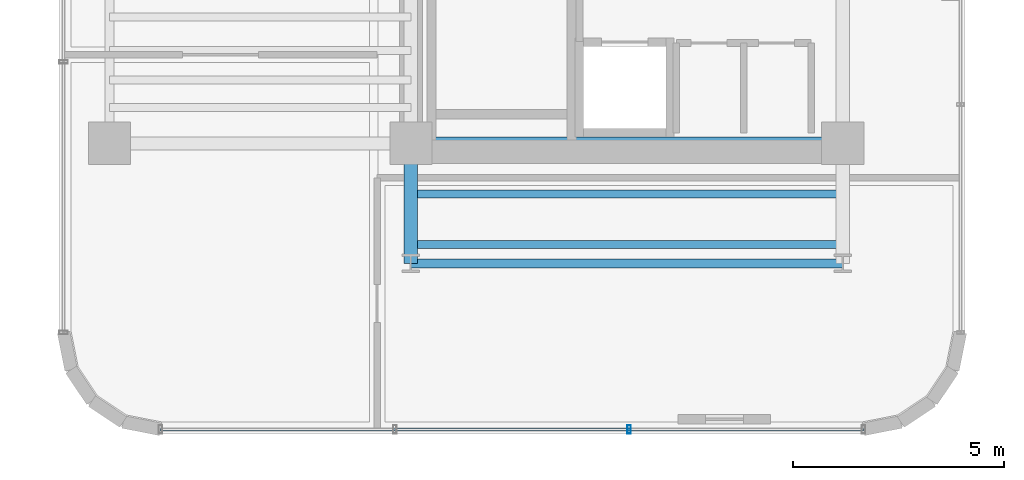
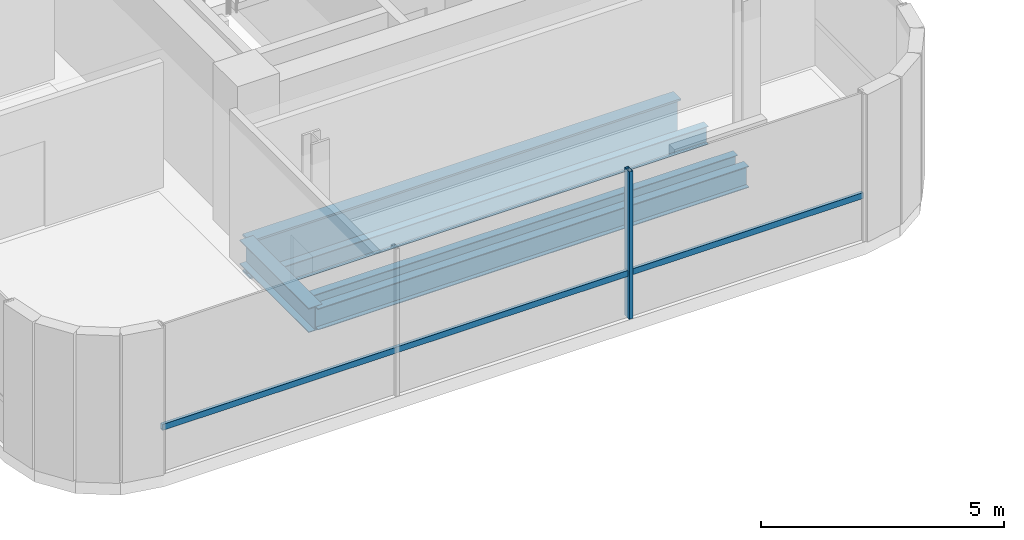
# One storey, part 3 of 35: 5 beams, 2 members, 1 element without a shape of its own.
"""IFC4 building model written with IfcOpenShell, lengths in metres."""

from ifc_helpers import new_model, si_unit, direction, frame, origin, origin_2d, place, context, subcontext, project, spatial, hollow_rectangle, i_section, extrude, source, transform, mapped, material, material_profile, profile_set, type_object, element, aggregate, save


model = new_model("IFC4")

# Units and contexts
model_context = context("Model", 3, precision=1e-05, world=origin(), true_north=direction((0.0, 1.0)))
body_context = subcontext(model_context, "Body", "Model", "MODEL_VIEW")
ifc_project = project(units=[si_unit("LENGTHUNIT", "METRE"), si_unit("AREAUNIT", "SQUARE_METRE"), si_unit("VOLUMEUNIT", "CUBIC_METRE"), si_unit("PLANEANGLEUNIT", "RADIAN"), si_unit("MASSUNIT", "GRAM", prefix="KILO")], contexts=[model_context])

# Site, building, storey
site_placement = place(None, origin())
site = spatial("IfcSite", under=ifc_project, at=site_placement, CompositionType="ELEMENT")
building_placement = place(site_placement, origin())
building = spatial("IfcBuilding", under=site, at=building_placement, Name="Valdorenza Pilgrim Sanctuary Tower", CompositionType="ELEMENT")
storey_placement = place(building_placement, frame((0.0, 0.0, 192.35009765625)))
storey = spatial("IfcBuildingStorey", under=building, at=storey_placement, Name="L49", CompositionType="ELEMENT", Elevation=192.35009765625)

# Beams
ifc_material_1 = material(Name="Steel ASTM A992 Grade 50", Category="steel")
ifc_material_profile_1 = material_profile(ifc_material_1, i_section(OverallWidth=0.323974609375, OverallDepth=0.611083984375, WebThickness=0.0126953125, FlangeThickness=0.01904296875, at=origin_2d()), Name="W24X104")
ifc_profile_set_1 = profile_set([ifc_material_profile_1], Name="Steel ASTM A992 Grade 50")
beam_type_1 = type_object("IfcBeamType", Name="STR-BM-GRD-W24B", PredefinedType="BEAM", material=ifc_profile_set_1)
shared_shape_1 = source(origin(), body_context, "Body", "SweptSolid", [
    extrude(i_section(OverallWidth=0.323974609375, OverallDepth=0.611083984375, WebThickness=0.0126953125, FlangeThickness=0.01904296875, at=origin_2d()), origin(), (0.0, 0.0, 1.0), 2.849853515625),
])
beam_1_placement = place(storey_placement, frame((-22.64990234375, -13.449951171875, -0.62548828125), z_axis=(0.0, 1.0, 0.0), x_axis=(-1.0, 0.0, 0.0)))
element("IfcBeam", 1, at=beam_1_placement, inside=storey, type_object=beam_type_1, Name="L49 Floor Girder WA-S-LW", PredefinedType="BEAM", context=body_context, shape_type="MappedRepresentation", body=[
    mapped(shared_shape_1, transform((0.0, 0.0, 0.0), x_axis=(1.0, 0.0, 0.0), y_axis=(0.0, 1.0, 0.0), z_axis=(0.0, 0.0, 1.0), scale=1.0)),
])
ifc_material_profile_2 = material_profile(ifc_material_1, i_section(OverallWidth=0.19091796875, OverallDepth=0.45703125, WebThickness=0.009033203125, FlangeThickness=0.014404296875, at=origin_2d()), Name="W18X50")
ifc_profile_set_2 = profile_set([ifc_material_profile_2], Name="Steel ASTM A992 Grade 50")
beam_type_2 = type_object("IfcBeamType", Name="STR-BM-JST-W18B", PredefinedType="JOIST", material=ifc_profile_set_2)
shared_shape_2 = source(origin(), body_context, "Body", "SweptSolid", [
    extrude(i_section(OverallWidth=0.19091796875, OverallDepth=0.45703125, WebThickness=0.009033203125, FlangeThickness=0.014404296875, at=origin_2d()), origin(), (0.0, 0.0, 1.0), 10.25),
])
for number, where, z_axis, x_axis, name in (
    (2, (-22.64990234375, -13.0, -0.548583984375), (1.0, 0.0, 0.0), (0.0, 1.0, 0.0), "L49 Composite Floor Joist JST-WAS-1"),
    (3, (-22.64990234375, -11.800048828125, -0.548583984375), (1.0, 0.0, 0.0), (0.0, 1.0, 0.0), "L49 Composite Floor Joist JST-WAS-2"),
):
    element("IfcBeam", number, at=place(storey_placement, frame(where, z_axis=z_axis, x_axis=x_axis)), inside=storey, type_object=beam_type_2, Name=name, PredefinedType="JOIST", context=body_context, shape_type="MappedRepresentation", body=[
        mapped(shared_shape_2, transform((0.0, 0.0, 0.0), x_axis=(1.0, 0.0, 0.0), y_axis=(0.0, 1.0, 0.0), z_axis=(0.0, 0.0, 1.0), scale=1.0)),
    ])
ifc_material_profile_3 = material_profile(ifc_material_1, i_section(OverallWidth=0.2109375, OverallDepth=0.5390625, WebThickness=0.01171875, FlangeThickness=0.018798828125, at=origin_2d()), Name="W21X73")
ifc_profile_set_3 = profile_set([ifc_material_profile_3], Name="Steel ASTM A992 Grade 50")
beam_type_3 = type_object("IfcBeamType", Name="STR-BM-SPN-W21B", PredefinedType="SPANDREL", material=ifc_profile_set_3)
shared_shape_3 = source(origin(), body_context, "Body", "SweptSolid", [
    extrude(i_section(OverallWidth=0.2109375, OverallDepth=0.5390625, WebThickness=0.01171875, FlangeThickness=0.018798828125, at=origin_2d()), origin(), (0.0, 0.0, 1.0), 10.25),
])
beam_2_placement = place(storey_placement, frame((-22.64990234375, -13.449951171875, -0.589599609375), z_axis=(1.0, 0.0, 0.0), x_axis=(0.0, 1.0, 0.0)))
element("IfcBeam", 4, at=beam_2_placement, inside=storey, type_object=beam_type_3, Name="L49 South Spandrel WA-S-TIE", PredefinedType="SPANDREL", context=body_context, shape_type="MappedRepresentation", body=[
    mapped(shared_shape_3, transform((0.0, 0.0, 0.0), x_axis=(1.0, 0.0, 0.0), y_axis=(0.0, 1.0, 0.0), z_axis=(0.0, 0.0, 1.0), scale=1.0)),
])
ifc_material_profile_4 = material_profile(ifc_material_1, i_section(OverallWidth=0.31005859375, OverallDepth=0.949951171875, WebThickness=0.0244140625, FlangeThickness=0.0439453125, at=origin_2d()), Name="W36X256")
ifc_profile_set_4 = profile_set([ifc_material_profile_4], Name="Steel ASTM A992 Grade 50")
beam_type_4 = type_object("IfcBeamType", Name="STR-BM-GRD-W36B", PredefinedType="BEAM", material=ifc_profile_set_4)
shared_shape_4 = source(origin(), body_context, "Body", "SweptSolid", [
    extrude(i_section(OverallWidth=0.31005859375, OverallDepth=0.949951171875, WebThickness=0.0244140625, FlangeThickness=0.0439453125, at=origin_2d()), origin(), (0.0, 0.0, 1.0), 10.25),
])
beam_3_placement = place(storey_placement, frame((-22.64990234375, -10.60009765625, -0.795166015625), z_axis=(1.0, 0.0, 0.0), x_axis=(0.0, 1.0, 0.0)))
element("IfcBeam", 5, at=beam_3_placement, inside=storey, type_object=beam_type_4, Name="L49 Floor Girder CA-XC-S1", PredefinedType="BEAM", context=body_context, shape_type="MappedRepresentation", body=[
    mapped(shared_shape_4, transform((0.0, 0.0, 0.0), x_axis=(1.0, 0.0, 0.0), y_axis=(0.0, 1.0, 0.0), z_axis=(0.0, 0.0, 1.0), scale=1.0)),
])

# Curtain wall, members
ifc_material_2 = material(Name="Curtain-wall IGU glazing", Category="glass")
curtain_wall_type = type_object("IfcCurtainWallType", Name="CW-SYS-02", PredefinedType="NOTDEFINED", material=ifc_material_2)
curtain_wall_placement = place(storey_placement, origin())
curtain_wall = element("IfcCurtainWall", 6, at=curtain_wall_placement, inside=storey, type_object=curtain_wall_type, Name="L49 Curtain Wall CW-L49-1-82", PredefinedType="NOTDEFINED")
ifc_material_3 = material(Name="Anodised aluminium AW-6060", Category="aluminium")
ifc_material_profile_5 = material_profile(ifc_material_3, hollow_rectangle(XDim=0.074951171875, YDim=0.14990234375, WallThickness=0.00390625, at=origin_2d()), Name="ALU-T 150x75x4")
ifc_profile_set_5 = profile_set([ifc_material_profile_5], Name="Anodised aluminium AW-6060")
member_type_1 = type_object("IfcMemberType", Name="CW-TRN-02", PredefinedType="USERDEFINED", material=ifc_profile_set_5)
shared_shape_5 = source(origin(), body_context, "Body", "SweptSolid", [
    extrude(hollow_rectangle(XDim=0.074951171875, YDim=0.14990234375, WallThickness=0.00390625, at=origin_2d()), origin(), (0.0, 0.0, 1.0), 16.67822265625),
])
member_1_placement = place(storey_placement, frame((-11.910888671875, -17.389892578125, 1.119873046875), z_axis=(-1.0, 0.0, 0.0), x_axis=(0.0, -1.0, 0.0)))
member_1 = element("IfcMember", 7, at=member_1_placement, type_object=member_type_1, Name="CW-L49-1-82 Transom 1", ObjectType="TRANSOM", PredefinedType="USERDEFINED", context=body_context, shape_type="MappedRepresentation", body=[
    mapped(shared_shape_5, transform((0.0, 0.0, 0.0), x_axis=(1.0, 0.0, 0.0), y_axis=(0.0, 1.0, 0.0), z_axis=(0.0, 0.0, 1.0), scale=1.0)),
])
ifc_material_profile_6 = material_profile(ifc_material_3, hollow_rectangle(XDim=0.0849609375, YDim=0.199951171875, WallThickness=0.0048828125, at=origin_2d()), Name="ALU-M 200x85x5")
ifc_profile_set_6 = profile_set([ifc_material_profile_6], Name="Anodised aluminium AW-6060")
member_type_2 = type_object("IfcMemberType", Name="CW-MUL-02", PredefinedType="MULLION", material=ifc_profile_set_6)
shared_shape_6 = source(origin(), body_context, "Body", "SweptSolid", [
    extrude(hollow_rectangle(XDim=0.0849609375, YDim=0.199951171875, WallThickness=0.0048828125, at=origin_2d()), origin(), (0.0, 0.0, 1.0), 3.7099609375),
])
member_2_placement = place(storey_placement, frame((-17.47021484375, -17.389892578125, 0.0), z_axis=(0.0, 0.0, 1.0), x_axis=(-1.0, 0.0, 0.0)))
member_2 = element("IfcMember", 8, at=member_2_placement, type_object=member_type_2, Name="CW-L49-1-82 Mullion 2", PredefinedType="MULLION", context=body_context, shape_type="MappedRepresentation", body=[
    mapped(shared_shape_6, transform((0.0, 0.0, 0.0), x_axis=(1.0, 0.0, 0.0), y_axis=(0.0, 1.0, 0.0), z_axis=(0.0, 0.0, 1.0), scale=1.0)),
])
aggregate(curtain_wall, [member_2, member_1])

save(model, "model.ifc")
